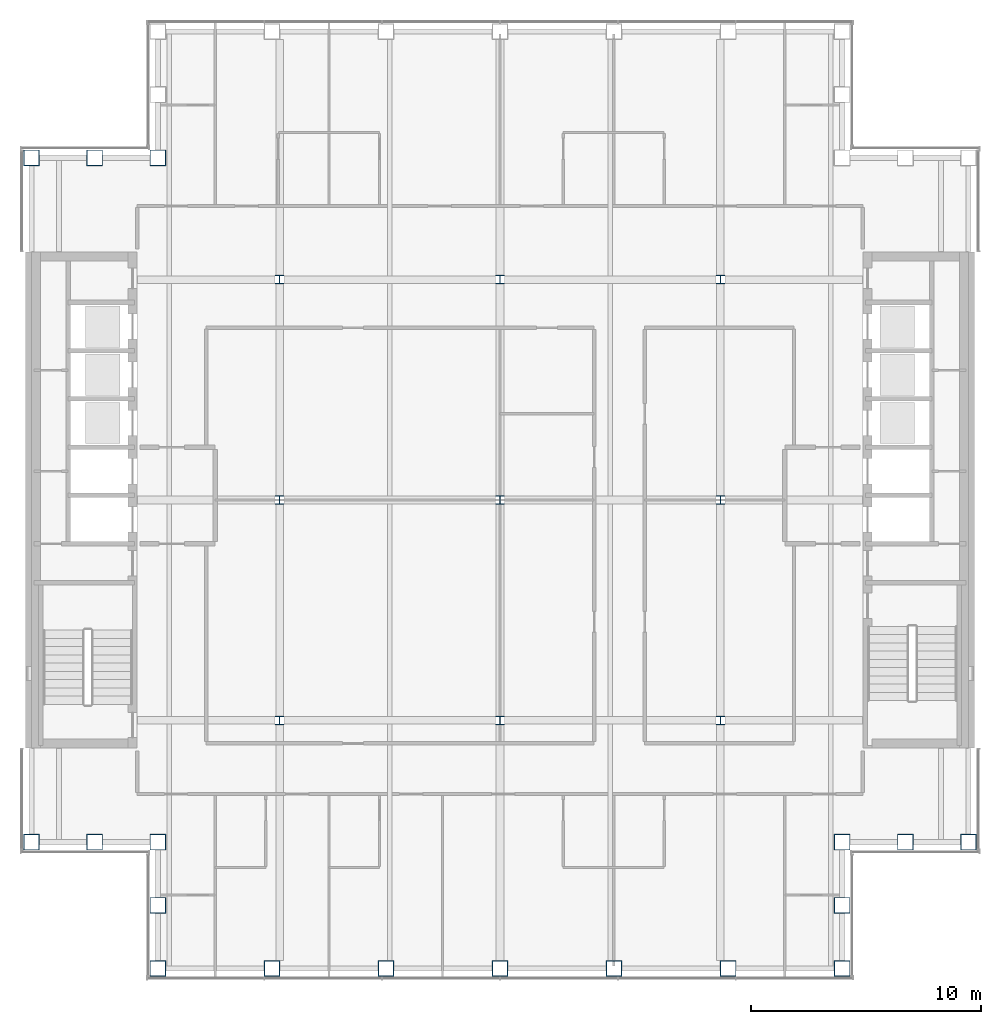
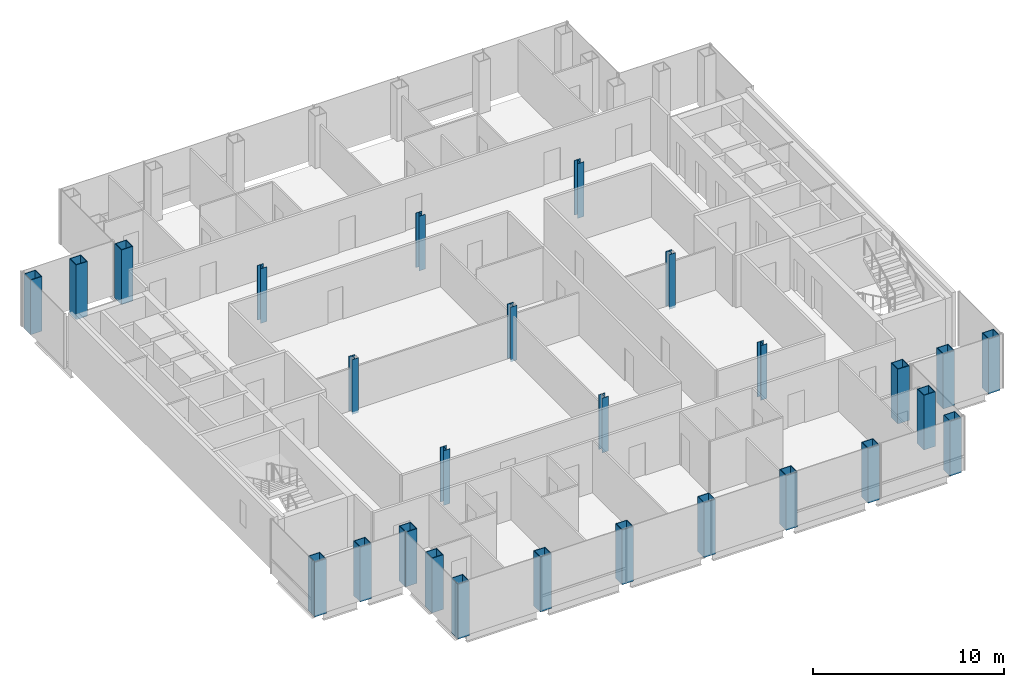
# One storey, part 1 of 15: 27 columns.
"""IFC4 building model written with IfcOpenShell, lengths in metres."""

from ifc_helpers import new_model, si_unit, direction, frame, origin, origin_2d, place, context, subcontext, project, spatial, hollow_rectangle, i_section, extrude, material, material_profile, profile_set, type_object, element, save


model = new_model("IFC4")

# Units and contexts
model_context = context("Model", 3, precision=1e-05, world=origin(), true_north=direction((0.0, 1.0)))
body_context = subcontext(model_context, "Body", "Model", "MODEL_VIEW")
ifc_project = project(units=[si_unit("LENGTHUNIT", "METRE"), si_unit("AREAUNIT", "SQUARE_METRE"), si_unit("VOLUMEUNIT", "CUBIC_METRE"), si_unit("PLANEANGLEUNIT", "RADIAN"), si_unit("MASSUNIT", "GRAM", prefix="KILO")], contexts=[model_context])

# Site, building, storey
site_placement = place(None, origin())
site = spatial("IfcSite", under=ifc_project, at=site_placement, CompositionType="ELEMENT")
building_placement = place(site_placement, origin())
building = spatial("IfcBuilding", under=site, at=building_placement, Name="Cobrizo Arcos Hotel Tower", CompositionType="ELEMENT")
storey_placement = place(building_placement, frame((0.0, 0.0, 201.5)))
storey = spatial("IfcBuildingStorey", under=building, at=storey_placement, Name="L52", CompositionType="ELEMENT", Elevation=201.5)

# Columns
ifc_material_1 = material(Name="Steel ASTM A572 Grade 50", Category="steel")
ifc_material_profile_1 = material_profile(ifc_material_1, hollow_rectangle(XDim=0.699951171875, YDim=0.699951171875, WallThickness=0.0400390625, at=origin_2d()), Name="BOX 700X700X40")
ifc_profile_set_1 = profile_set([ifc_material_profile_1], Name="Steel ASTM A572 Grade 50")
column_type_1 = type_object("IfcColumnType", Name="BOX 700X700X40 column", PredefinedType="COLUMN", material=ifc_profile_set_1)
for number, where, z_axis, x_axis, name in (
    (1, (-14.89990234375, -20.39990234375, -0.14990234375), (0.0, 0.0, 1.0), (1.0, 0.0, 0.0), "Perimeter column C10, L52, no. 01"),
    (2, (-9.93310546875, -20.39990234375, -0.14990234375), (0.0, 0.0, 1.0), (1.0, 0.0, 0.0), "Perimeter column C10, L52, no. 03"),
    (3, (-4.967041015625, -20.39990234375, -0.14990234375), (0.0, 0.0, 1.0), (1.0, 0.0, 0.0), "Perimeter column C10, L52, no. 05"),
    (4, (0.0, -20.39990234375, -0.14990234375), (0.0, 0.0, 1.0), (1.0, 0.0, 0.0), "Perimeter column C10, L52, no. 07"),
    (5, (4.967041015625, -20.39990234375, -0.14990234375), (0.0, 0.0, 1.0), (1.0, 0.0, 0.0), "Perimeter column C10, L52, no. 09"),
    (6, (9.93310546875, -20.39990234375, -0.14990234375), (0.0, 0.0, 1.0), (1.0, 0.0, 0.0), "Perimeter column C10, L52, no. 11"),
    (7, (14.89990234375, -20.39990234375, -0.14990234375), (0.0, 0.0, 1.0), (1.0, 0.0, 0.0), "Perimeter column C10, L52, no. 13"),
    (8, (20.39990234375, -14.89990234375, -0.14990234375), (0.0, 0.0, 1.0), (1.0, 0.0, 0.0), "Perimeter column C10, L52, no. 14"),
    (9, (-20.39990234375, -14.89990234375, -0.14990234375), (0.0, 0.0, 1.0), (1.0, 0.0, 0.0), "Perimeter column C10, L52, no. 15"),
    (10, (-20.39990234375, 14.89990234375, -0.14990234375), (0.0, 0.0, 1.0), (1.0, 0.0, 0.0), "Perimeter column C10, L52, no. 17"),
    (11, (-14.89990234375, -14.89990234375, -0.14990234375), (0.0, 0.0, 1.0), (1.0, 0.0, 0.0), "Perimeter column C10, L52, no. 18"),
    (12, (-14.89990234375, -17.64990234375, -0.14990234375), (0.0, 0.0, 1.0), (1.0, 0.0, 0.0), "Perimeter column C10, L52, no. 19"),
    (13, (-17.64990234375, -14.89990234375, -0.14990234375), (0.0, 0.0, 1.0), (1.0, 0.0, 0.0), "Perimeter column C10, L52, no. 20"),
    (14, (-14.89990234375, 14.89990234375, -0.14990234375), (0.0, 0.0, 1.0), (1.0, 0.0, 0.0), "Perimeter column C10, L52, no. 21"),
    (15, (-17.64990234375, 14.89990234375, -0.14990234375), (0.0, 0.0, 1.0), (1.0, 0.0, 0.0), "Perimeter column C10, L52, no. 23"),
    (16, (14.89990234375, -14.89990234375, -0.14990234375), (0.0, 0.0, 1.0), (1.0, 0.0, 0.0), "Perimeter column C10, L52, no. 24"),
    (17, (14.89990234375, -17.64990234375, -0.14990234375), (0.0, 0.0, 1.0), (1.0, 0.0, 0.0), "Perimeter column C10, L52, no. 25"),
    (18, (17.64990234375, -14.89990234375, -0.14990234375), (0.0, 0.0, 1.0), (1.0, 0.0, 0.0), "Perimeter column C10, L52, no. 26"),
):
    element("IfcColumn", number, at=place(storey_placement, frame(where, z_axis=z_axis, x_axis=x_axis)), inside=storey, type_object=column_type_1, Name=name, PredefinedType="COLUMN", context=body_context, shape_type="SweptSolid", body=[
        extrude(hollow_rectangle(XDim=0.699951171875, YDim=0.699951171875, WallThickness=0.0400390625, at=origin_2d()), origin(), (0.0, 0.0, 1.0), 3.5),
    ])
ifc_material_2 = material(Name="Steel ASTM A992 Grade 50", Category="steel")
ifc_material_profile_2 = material_profile(ifc_material_2, i_section(OverallWidth=0.373291015625, OverallDepth=0.373291015625, WebThickness=0.016357421875, FlangeThickness=0.026123046875, at=origin_2d()), Name="W14X132")
ifc_profile_set_2 = profile_set([ifc_material_profile_2], Name="Steel ASTM A992 Grade 50")
column_type_2 = type_object("IfcColumnType", Name="W14X132 interior column", PredefinedType="COLUMN", material=ifc_profile_set_2)
for number, where, z_axis, x_axis, name in (
    (19, (-9.60009765625, -9.60009765625, -0.14990234375), (0.0, 0.0, 1.0), (1.0, 0.0, 0.0), "Interior column C9, L52, no. 00"),
    (20, (-9.60009765625, 0.0, -0.14990234375), (0.0, 0.0, 1.0), (1.0, 0.0, 0.0), "Interior column C9, L52, no. 01"),
    (21, (-9.60009765625, 9.60009765625, -0.14990234375), (0.0, 0.0, 1.0), (1.0, 0.0, 0.0), "Interior column C9, L52, no. 02"),
    (22, (0.0, -9.60009765625, -0.14990234375), (0.0, 0.0, 1.0), (1.0, 0.0, 0.0), "Interior column C9, L52, no. 03"),
    (23, (0.0, 0.0, -0.14990234375), (0.0, 0.0, 1.0), (1.0, 0.0, 0.0), "Interior column C9, L52, no. 04"),
    (24, (0.0, 9.60009765625, -0.14990234375), (0.0, 0.0, 1.0), (1.0, 0.0, 0.0), "Interior column C9, L52, no. 05"),
    (25, (9.60009765625, -9.60009765625, -0.14990234375), (0.0, 0.0, 1.0), (1.0, 0.0, 0.0), "Interior column C9, L52, no. 06"),
    (26, (9.60009765625, 0.0, -0.14990234375), (0.0, 0.0, 1.0), (1.0, 0.0, 0.0), "Interior column C9, L52, no. 07"),
    (27, (9.60009765625, 9.60009765625, -0.14990234375), (0.0, 0.0, 1.0), (1.0, 0.0, 0.0), "Interior column C9, L52, no. 08"),
):
    element("IfcColumn", number, at=place(storey_placement, frame(where, z_axis=z_axis, x_axis=x_axis)), inside=storey, type_object=column_type_2, Name=name, PredefinedType="COLUMN", context=body_context, shape_type="SweptSolid", body=[
        extrude(i_section(OverallWidth=0.373291015625, OverallDepth=0.373291015625, WebThickness=0.016357421875, FlangeThickness=0.026123046875, at=origin_2d()), origin(), (0.0, 0.0, 1.0), 3.5),
    ])

save(model, "model.ifc")
